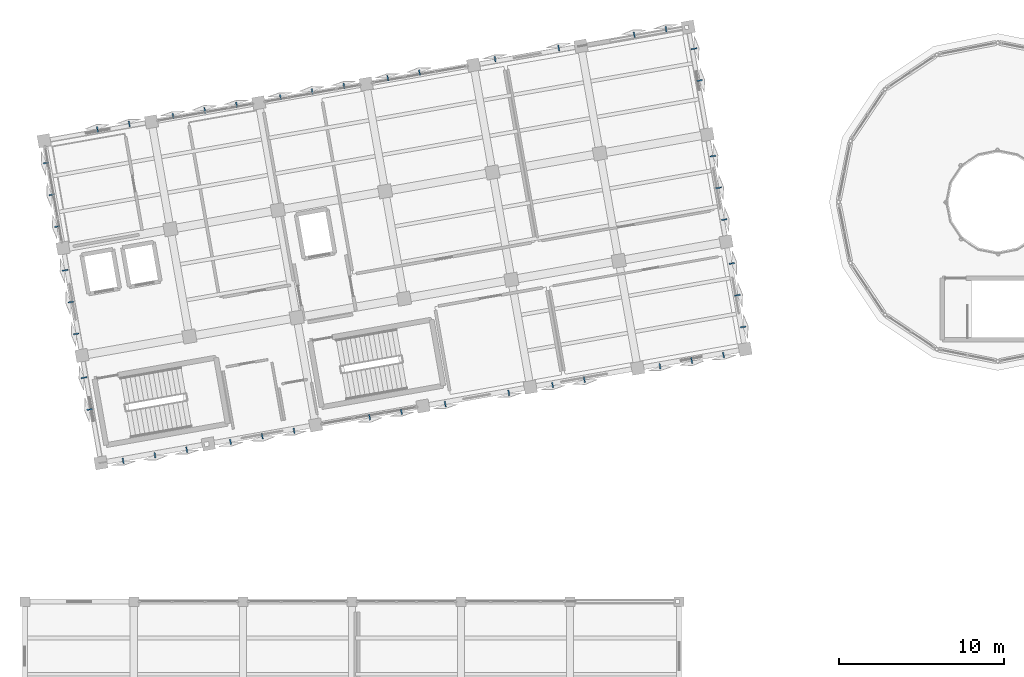
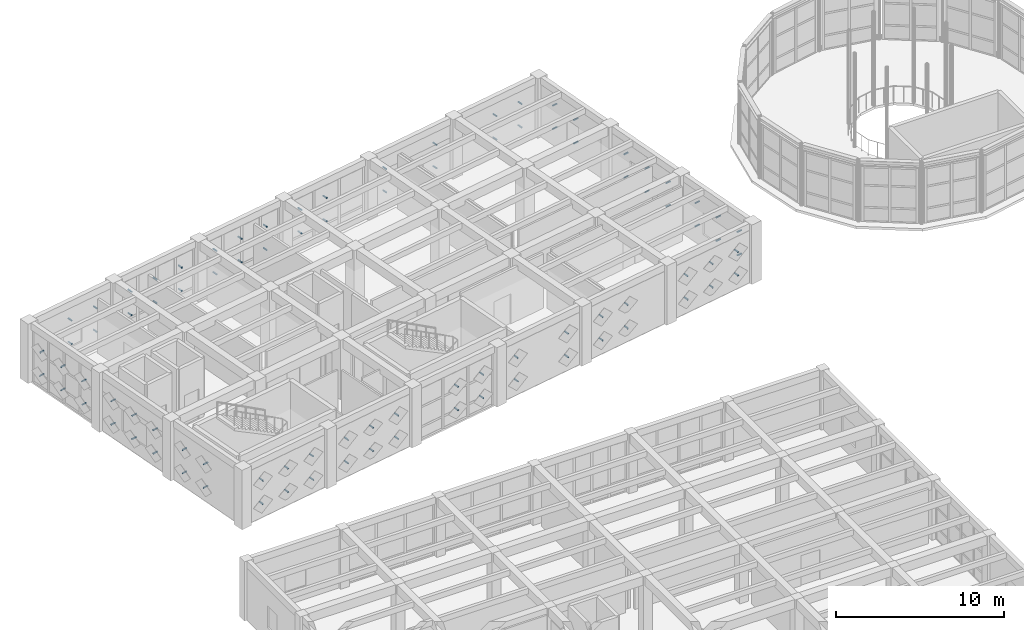
# One storey, part 73 of 80: 90 discrete accessories.
"""IFC4 building model written with IfcOpenShell, lengths in metres."""

from ifc_helpers import new_model, si_unit, direction, frame, origin, origin_2d, place, context, subcontext, project, spatial, hollow_rectangle, extrude, material, type_object, element, save


model = new_model("IFC4")

# Units and contexts
model_context = context("Model", 3, precision=1e-05, world=origin(), true_north=direction((0.0, 1.0)))
body_context = subcontext(model_context, "Body", "Model", "MODEL_VIEW")
ifc_project = project(units=[si_unit("LENGTHUNIT", "METRE"), si_unit("AREAUNIT", "SQUARE_METRE"), si_unit("VOLUMEUNIT", "CUBIC_METRE"), si_unit("PLANEANGLEUNIT", "RADIAN"), si_unit("MASSUNIT", "GRAM", prefix="KILO")], contexts=[model_context])

# Site, building, storey
site_placement = place(None, origin())
site = spatial("IfcSite", under=ifc_project, at=site_placement, CompositionType="ELEMENT")
building_placement = place(site_placement, origin())
building = spatial("IfcBuilding", under=site, at=building_placement, Name="Kharisveld Research Institute", CompositionType="ELEMENT")
storey_placement = place(building_placement, frame((0.0, 0.0, 5.10009765625)))
storey = spatial("IfcBuildingStorey", under=building, at=storey_placement, Name="L01", CompositionType="ELEMENT", Elevation=5.10009765625)

# Discrete accessories
ifc_material = material(Name="Steel S355JR", Category="steel")
discrete_accessory_type = type_object("IfcDiscreteAccessoryType", Name="BKT_ST_260", PredefinedType="BRACKET")
for number, where, z_axis, x_axis, name in (
    (1, (4.68603515625, 38.270263671875, 1.0498046875), (-0.984804615622, -0.173665969752, 0.0), (0.173665969752, -0.984804615622, 0.0), "BKT-SHD:V1:L01:W0:S1C0"),
    (2, (4.68603515625, 38.270263671875, 2.75), (-0.984804615622, -0.173665969752, 0.0), (0.173665969752, -0.984804615622, 0.0), "BKT-SHD:V1:L01:W0:S1C1"),
    (3, (4.346923828125, 40.19384765625, 1.0498046875), (-0.984804615622, -0.173665969752, 0.0), (0.173665969752, -0.984804615622, 0.0), "BKT-SHD:V1:L01:W0:S2C0"),
    (4, (4.346923828125, 40.19384765625, 2.75), (-0.984804615622, -0.173665969752, 0.0), (0.173665969752, -0.984804615622, 0.0), "BKT-SHD:V1:L01:W0:S2C1"),
    (5, (3.879150390625, 42.846435546875, 1.0498046875), (-0.984804615622, -0.173665969752, 0.0), (0.173665969752, -0.984804615622, 0.0), "BKT-SHD:V1:L01:W1:S0C0"),
    (6, (3.879150390625, 42.846435546875, 2.75), (-0.984804615622, -0.173665969752, 0.0), (0.173665969752, -0.984804615622, 0.0), "BKT-SHD:V1:L01:W1:S0C1"),
    (7, (3.5400390625, 44.77001953125, 1.0498046875), (-0.984804615622, -0.173665969752, 0.0), (0.173665969752, -0.984804615622, 0.0), "BKT-SHD:V1:L01:W1:S1C0"),
    (8, (3.5400390625, 44.77001953125, 2.75), (-0.984804615622, -0.173665969752, 0.0), (0.173665969752, -0.984804615622, 0.0), "BKT-SHD:V1:L01:W1:S1C1"),
):
    element("IfcDiscreteAccessory", number, at=place(storey_placement, frame(where, z_axis=z_axis, x_axis=x_axis)), inside=storey, type_object=discrete_accessory_type, material=ifc_material, Name=name, ObjectType="BRACKET", PredefinedType="BRACKET", context=body_context, shape_type="SweptSolid", body=[
        extrude(hollow_rectangle(XDim=0.080078125, YDim=0.080078125, WallThickness=0.0048828125, at=origin_2d()), origin(), (0.0, 0.0, 1.0), 0.35009765625),
    ])
for number, where, z_axis, x_axis, name in (
    (9, (3.20068359375, 46.693603515625, 1.0498046875), (-0.984783558818, -0.173785333909, 0.0), (0.173785333909, -0.984783558818, 0.0), "BKT-SHD:V1:L01:W1:S2C0"),
    (10, (3.20068359375, 46.693603515625, 2.75), (-0.984783558818, -0.173785333909, 0.0), (0.173785333909, -0.984783558818, 0.0), "BKT-SHD:V1:L01:W1:S2C1"),
):
    element("IfcDiscreteAccessory", number, at=place(storey_placement, frame(where, z_axis=z_axis, x_axis=x_axis)), inside=storey, type_object=discrete_accessory_type, material=ifc_material, Name=name, ObjectType="BRACKET", PredefinedType="BRACKET", context=body_context, shape_type="SweptSolid", body=[
        extrude(hollow_rectangle(XDim=0.080078125, YDim=0.080078125, WallThickness=0.0048828125, at=origin_2d()), origin(), (0.0, 0.0, 1.0), 0.349853515625),
    ])
for number, where, z_axis, x_axis, name in (
    (11, (2.733154296875, 49.34619140625, 1.0498046875), (-0.984804615622, -0.173665969752, 0.0), (0.173665969752, -0.984804615622, 0.0), "BKT-SHD:V1:L01:W2:S0C0"),
    (12, (2.733154296875, 49.34619140625, 2.75), (-0.984804615622, -0.173665969752, 0.0), (0.173665969752, -0.984804615622, 0.0), "BKT-SHD:V1:L01:W2:S0C1"),
):
    element("IfcDiscreteAccessory", number, at=place(storey_placement, frame(where, z_axis=z_axis, x_axis=x_axis)), inside=storey, type_object=discrete_accessory_type, material=ifc_material, Name=name, ObjectType="BRACKET", PredefinedType="BRACKET", context=body_context, shape_type="SweptSolid", body=[
        extrude(hollow_rectangle(XDim=0.080078125, YDim=0.080078125, WallThickness=0.0048828125, at=origin_2d()), origin(), (0.0, 0.0, 1.0), 0.35009765625),
    ])
for number, where, z_axis, x_axis, name in (
    (13, (2.393798828125, 51.269775390625, 1.0498046875), (-0.984783558818, -0.173785333909, 0.0), (0.173785333909, -0.984783558818, 0.0), "BKT-SHD:V1:L01:W2:S1C0"),
    (14, (2.393798828125, 51.269775390625, 2.75), (-0.984783558818, -0.173785333909, 0.0), (0.173785333909, -0.984783558818, 0.0), "BKT-SHD:V1:L01:W2:S1C1"),
):
    element("IfcDiscreteAccessory", number, at=place(storey_placement, frame(where, z_axis=z_axis, x_axis=x_axis)), inside=storey, type_object=discrete_accessory_type, material=ifc_material, Name=name, ObjectType="BRACKET", PredefinedType="BRACKET", context=body_context, shape_type="SweptSolid", body=[
        extrude(hollow_rectangle(XDim=0.080078125, YDim=0.080078125, WallThickness=0.0048828125, at=origin_2d()), origin(), (0.0, 0.0, 1.0), 0.349853515625),
    ])
for number, where, z_axis, x_axis, name in (
    (15, (2.0546875, 53.193359375, 1.0498046875), (-0.984804615622, -0.173665969752, 0.0), (0.173665969752, -0.984804615622, 0.0), "BKT-SHD:V1:L01:W2:S2C0"),
    (16, (2.0546875, 53.193359375, 2.75), (-0.984804615622, -0.173665969752, 0.0), (0.173665969752, -0.984804615622, 0.0), "BKT-SHD:V1:L01:W2:S2C1"),
    (17, (5.02197265625, 55.023193359375, 1.0498046875), (-0.173665969752, 0.984804615622, 0.0), (-0.984804615622, -0.173665969752, 0.0), "BKT-SHD:V1:L01:N0:S1C0"),
    (18, (5.02197265625, 55.023193359375, 2.75), (-0.173665969752, 0.984804615622, 0.0), (-0.984804615622, -0.173665969752, 0.0), "BKT-SHD:V1:L01:N0:S1C1"),
    (19, (6.94580078125, 55.3623046875, 1.0498046875), (-0.173665969752, 0.984804615622, 0.0), (-0.984804615622, -0.173665969752, 0.0), "BKT-SHD:V1:L01:N0:S2C0"),
    (20, (6.94580078125, 55.3623046875, 2.75), (-0.173665969752, 0.984804615622, 0.0), (-0.984804615622, -0.173665969752, 0.0), "BKT-SHD:V1:L01:N0:S2C1"),
    (21, (9.59814453125, 55.830078125, 1.0498046875), (-0.173665969752, 0.984804615622, 0.0), (-0.984804615622, -0.173665969752, 0.0), "BKT-SHD:V1:L01:N1:S0C0"),
    (22, (9.59814453125, 55.830078125, 2.75), (-0.173665969752, 0.984804615622, 0.0), (-0.984804615622, -0.173665969752, 0.0), "BKT-SHD:V1:L01:N1:S0C1"),
    (23, (11.521728515625, 56.169189453125, 1.0498046875), (-0.173665969752, 0.984804615622, 0.0), (-0.984804615622, -0.173665969752, 0.0), "BKT-SHD:V1:L01:N1:S1C0"),
    (24, (11.521728515625, 56.169189453125, 2.75), (-0.173665969752, 0.984804615622, 0.0), (-0.984804615622, -0.173665969752, 0.0), "BKT-SHD:V1:L01:N1:S1C1"),
    (25, (13.445556640625, 56.50830078125, 1.0498046875), (-0.173665969752, 0.984804615622, 0.0), (-0.984804615622, -0.173665969752, 0.0), "BKT-SHD:V1:L01:N1:S2C0"),
    (26, (13.445556640625, 56.50830078125, 2.75), (-0.173665969752, 0.984804615622, 0.0), (-0.984804615622, -0.173665969752, 0.0), "BKT-SHD:V1:L01:N1:S2C1"),
    (27, (16.097900390625, 56.97607421875, 1.0498046875), (-0.173665969752, 0.984804615622, 0.0), (-0.984804615622, -0.173665969752, 0.0), "BKT-SHD:V1:L01:N2:S0C0"),
    (28, (16.097900390625, 56.97607421875, 2.75), (-0.173665969752, 0.984804615622, 0.0), (-0.984804615622, -0.173665969752, 0.0), "BKT-SHD:V1:L01:N2:S0C1"),
    (29, (18.021484375, 57.315185546875, 1.0498046875), (-0.173665969752, 0.984804615622, 0.0), (-0.984804615622, -0.173665969752, 0.0), "BKT-SHD:V1:L01:N2:S1C0"),
    (30, (18.021484375, 57.315185546875, 2.75), (-0.173665969752, 0.984804615622, 0.0), (-0.984804615622, -0.173665969752, 0.0), "BKT-SHD:V1:L01:N2:S1C1"),
    (31, (19.945068359375, 57.654541015625, 1.0498046875), (-0.173665969752, 0.984804615622, 0.0), (-0.984804615622, -0.173665969752, 0.0), "BKT-SHD:V1:L01:N2:S2C0"),
    (32, (19.945068359375, 57.654541015625, 2.75), (-0.173665969752, 0.984804615622, 0.0), (-0.984804615622, -0.173665969752, 0.0), "BKT-SHD:V1:L01:N2:S2C1"),
    (33, (22.59765625, 58.1220703125, 1.0498046875), (-0.173665969752, 0.984804615622, 0.0), (-0.984804615622, -0.173665969752, 0.0), "BKT-SHD:V1:L01:N3:S0C0"),
    (34, (22.59765625, 58.1220703125, 2.75), (-0.173665969752, 0.984804615622, 0.0), (-0.984804615622, -0.173665969752, 0.0), "BKT-SHD:V1:L01:N3:S0C1"),
    (35, (24.521240234375, 58.46142578125, 1.0498046875), (-0.173665969752, 0.984804615622, 0.0), (-0.984804615622, -0.173665969752, 0.0), "BKT-SHD:V1:L01:N3:S1C0"),
    (36, (24.521240234375, 58.46142578125, 2.75), (-0.173665969752, 0.984804615622, 0.0), (-0.984804615622, -0.173665969752, 0.0), "BKT-SHD:V1:L01:N3:S1C1"),
    (37, (29.097412109375, 59.268310546875, 1.0498046875), (-0.173665969752, 0.984804615622, 0.0), (-0.984804615622, -0.173665969752, 0.0), "BKT-SHD:V1:L01:N4:S0C0"),
    (38, (29.097412109375, 59.268310546875, 2.75), (-0.173665969752, 0.984804615622, 0.0), (-0.984804615622, -0.173665969752, 0.0), "BKT-SHD:V1:L01:N4:S0C1"),
    (39, (32.944580078125, 59.946533203125, 1.0498046875), (-0.173665969752, 0.984804615622, 0.0), (-0.984804615622, -0.173665969752, 0.0), "BKT-SHD:V1:L01:N4:S2C0"),
    (40, (32.944580078125, 59.946533203125, 2.75), (-0.173665969752, 0.984804615622, 0.0), (-0.984804615622, -0.173665969752, 0.0), "BKT-SHD:V1:L01:N4:S2C1"),
    (41, (37.520751953125, 60.75341796875, 1.0498046875), (-0.173665969752, 0.984804615622, 0.0), (-0.984804615622, -0.173665969752, 0.0), "BKT-SHD:V1:L01:N5:S1C0"),
    (42, (37.520751953125, 60.75341796875, 2.75), (-0.173665969752, 0.984804615622, 0.0), (-0.984804615622, -0.173665969752, 0.0), "BKT-SHD:V1:L01:N5:S1C1"),
    (43, (39.4443359375, 61.0927734375, 1.0498046875), (-0.173665969752, 0.984804615622, 0.0), (-0.984804615622, -0.173665969752, 0.0), "BKT-SHD:V1:L01:N5:S2C0"),
    (44, (39.4443359375, 61.0927734375, 2.75), (-0.173665969752, 0.984804615622, 0.0), (-0.984804615622, -0.173665969752, 0.0), "BKT-SHD:V1:L01:N5:S2C1"),
    (45, (40.934814453125, 60.049072265625, 1.0498046875), (0.984804615622, 0.173665969752, 0.0), (-0.173665969752, 0.984804615622, 0.0), "BKT-SHD:V1:L01:E3:S0C0"),
    (46, (40.934814453125, 60.049072265625, 2.75), (0.984804615622, 0.173665969752, 0.0), (-0.173665969752, 0.984804615622, 0.0), "BKT-SHD:V1:L01:E3:S0C1"),
    (47, (41.274169921875, 58.12548828125, 1.0498046875), (0.984923681133, 0.172989428414, 0.0), (-0.172989428414, 0.984923681133, 0.0), "BKT-SHD:V1:L01:E3:S1C0"),
    (48, (41.274169921875, 58.12548828125, 2.75), (0.984923681133, 0.172989428414, 0.0), (-0.172989428414, 0.984923681133, 0.0), "BKT-SHD:V1:L01:E3:S1C1"),
    (49, (42.0810546875, 53.54931640625, 1.0498046875), (0.984804615622, 0.173665969752, 0.0), (-0.173665969752, 0.984804615622, 0.0), "BKT-SHD:V1:L01:E2:S0C0"),
    (50, (42.0810546875, 53.54931640625, 2.75), (0.984804615622, 0.173665969752, 0.0), (-0.173665969752, 0.984804615622, 0.0), "BKT-SHD:V1:L01:E2:S0C1"),
    (51, (42.420166015625, 51.625732421875, 1.0498046875), (0.984804615622, 0.173665969752, 0.0), (-0.173665969752, 0.984804615622, 0.0), "BKT-SHD:V1:L01:E2:S1C0"),
    (52, (42.420166015625, 51.625732421875, 2.75), (0.984804615622, 0.173665969752, 0.0), (-0.173665969752, 0.984804615622, 0.0), "BKT-SHD:V1:L01:E2:S1C1"),
    (53, (42.75927734375, 49.701904296875, 1.0498046875), (0.984804615622, 0.173665969752, 0.0), (-0.173665969752, 0.984804615622, 0.0), "BKT-SHD:V1:L01:E2:S2C0"),
    (54, (42.75927734375, 49.701904296875, 2.75), (0.984804615622, 0.173665969752, 0.0), (-0.173665969752, 0.984804615622, 0.0), "BKT-SHD:V1:L01:E2:S2C1"),
    (55, (43.22705078125, 47.049560546875, 1.0498046875), (0.984804615622, 0.173665969752, 0.0), (-0.173665969752, 0.984804615622, 0.0), "BKT-SHD:V1:L01:E1:S0C0"),
    (56, (43.22705078125, 47.049560546875, 2.75), (0.984804615622, 0.173665969752, 0.0), (-0.173665969752, 0.984804615622, 0.0), "BKT-SHD:V1:L01:E1:S0C1"),
    (57, (43.566162109375, 45.1259765625, 1.0498046875), (0.984804615622, 0.173665969752, 0.0), (-0.173665969752, 0.984804615622, 0.0), "BKT-SHD:V1:L01:E1:S1C0"),
    (58, (43.566162109375, 45.1259765625, 2.75), (0.984804615622, 0.173665969752, 0.0), (-0.173665969752, 0.984804615622, 0.0), "BKT-SHD:V1:L01:E1:S1C1"),
    (59, (43.905517578125, 43.2021484375, 1.0498046875), (0.984804615622, 0.173665969752, 0.0), (-0.173665969752, 0.984804615622, 0.0), "BKT-SHD:V1:L01:E1:S2C0"),
    (60, (43.905517578125, 43.2021484375, 2.75), (0.984804615622, 0.173665969752, 0.0), (-0.173665969752, 0.984804615622, 0.0), "BKT-SHD:V1:L01:E1:S2C1"),
    (61, (42.86181640625, 41.711669921875, 1.0498046875), (0.173665969752, -0.984804615622, 0.0), (0.984804615622, 0.173665969752, 0.0), "BKT-SHD:V1:L01:S6:S0C0"),
    (62, (42.86181640625, 41.711669921875, 2.75), (0.173665969752, -0.984804615622, 0.0), (0.984804615622, 0.173665969752, 0.0), "BKT-SHD:V1:L01:S6:S0C1"),
    (63, (40.93798828125, 41.37255859375, 1.0498046875), (0.173665969752, -0.984804615622, 0.0), (0.984804615622, 0.173665969752, 0.0), "BKT-SHD:V1:L01:S6:S1C0"),
    (64, (40.93798828125, 41.37255859375, 2.75), (0.173665969752, -0.984804615622, 0.0), (0.984804615622, 0.173665969752, 0.0), "BKT-SHD:V1:L01:S6:S1C1"),
):
    element("IfcDiscreteAccessory", number, at=place(storey_placement, frame(where, z_axis=z_axis, x_axis=x_axis)), inside=storey, type_object=discrete_accessory_type, material=ifc_material, Name=name, ObjectType="BRACKET", PredefinedType="BRACKET", context=body_context, shape_type="SweptSolid", body=[
        extrude(hollow_rectangle(XDim=0.080078125, YDim=0.080078125, WallThickness=0.0048828125, at=origin_2d()), origin(), (0.0, 0.0, 1.0), 0.35009765625),
    ])
for number, where, z_axis, x_axis, name in (
    (65, (39.014404296875, 41.033203125, 1.0498046875), (0.173785333909, -0.984783558818, 0.0), (0.984783558818, 0.173785333909, 0.0), "BKT-SHD:V1:L01:S6:S2C0"),
    (66, (39.014404296875, 41.033203125, 2.75), (0.173785333909, -0.984783558818, 0.0), (0.984783558818, 0.173785333909, 0.0), "BKT-SHD:V1:L01:S6:S2C1"),
    (67, (34.4384765625, 40.226318359375, 1.0498046875), (0.173785333909, -0.984783558818, 0.0), (0.984783558818, 0.173785333909, 0.0), "BKT-SHD:V1:L01:S5:S1C0"),
    (68, (34.4384765625, 40.226318359375, 2.75), (0.173785333909, -0.984783558818, 0.0), (0.984783558818, 0.173785333909, 0.0), "BKT-SHD:V1:L01:S5:S1C1"),
):
    element("IfcDiscreteAccessory", number, at=place(storey_placement, frame(where, z_axis=z_axis, x_axis=x_axis)), inside=storey, type_object=discrete_accessory_type, material=ifc_material, Name=name, ObjectType="BRACKET", PredefinedType="BRACKET", context=body_context, shape_type="SweptSolid", body=[
        extrude(hollow_rectangle(XDim=0.080078125, YDim=0.080078125, WallThickness=0.0048828125, at=origin_2d()), origin(), (0.0, 0.0, 1.0), 0.349853515625),
    ])
for number, where, z_axis, x_axis, name in (
    (69, (32.5146484375, 39.88720703125, 1.0498046875), (0.173665969752, -0.984804615622, 0.0), (0.984804615622, 0.173665969752, 0.0), "BKT-SHD:V1:L01:S5:S2C0"),
    (70, (32.5146484375, 39.88720703125, 2.75), (0.173665969752, -0.984804615622, 0.0), (0.984804615622, 0.173665969752, 0.0), "BKT-SHD:V1:L01:S5:S2C1"),
):
    element("IfcDiscreteAccessory", number, at=place(storey_placement, frame(where, z_axis=z_axis, x_axis=x_axis)), inside=storey, type_object=discrete_accessory_type, material=ifc_material, Name=name, ObjectType="BRACKET", PredefinedType="BRACKET", context=body_context, shape_type="SweptSolid", body=[
        extrude(hollow_rectangle(XDim=0.080078125, YDim=0.080078125, WallThickness=0.0048828125, at=origin_2d()), origin(), (0.0, 0.0, 1.0), 0.35009765625),
    ])
for number, where, z_axis, x_axis, name in (
    (71, (29.8623046875, 39.41943359375, 1.0498046875), (0.173785333909, -0.984783558818, 0.0), (0.984783558818, 0.173785333909, 0.0), "BKT-SHD:V1:L01:S4:S0C0"),
    (72, (29.8623046875, 39.41943359375, 2.75), (0.173785333909, -0.984783558818, 0.0), (0.984783558818, 0.173785333909, 0.0), "BKT-SHD:V1:L01:S4:S0C1"),
):
    element("IfcDiscreteAccessory", number, at=place(storey_placement, frame(where, z_axis=z_axis, x_axis=x_axis)), inside=storey, type_object=discrete_accessory_type, material=ifc_material, Name=name, ObjectType="BRACKET", PredefinedType="BRACKET", context=body_context, shape_type="SweptSolid", body=[
        extrude(hollow_rectangle(XDim=0.080078125, YDim=0.080078125, WallThickness=0.0048828125, at=origin_2d()), origin(), (0.0, 0.0, 1.0), 0.349853515625),
    ])
for number, where, z_axis, x_axis, name in (
    (73, (26.014892578125, 38.7412109375, 1.0498046875), (0.173665969752, -0.984804615622, 0.0), (0.984804615622, 0.173665969752, 0.0), "BKT-SHD:V1:L01:S4:S2C0"),
    (74, (26.014892578125, 38.7412109375, 2.75), (0.173665969752, -0.984804615622, 0.0), (0.984804615622, 0.173665969752, 0.0), "BKT-SHD:V1:L01:S4:S2C1"),
    (75, (23.362548828125, 38.2734375, 1.0498046875), (0.173665969752, -0.984804615622, 0.0), (0.984804615622, 0.173665969752, 0.0), "BKT-SHD:V1:L01:S3:S0C0"),
    (76, (23.362548828125, 38.2734375, 2.75), (0.173665969752, -0.984804615622, 0.0), (0.984804615622, 0.173665969752, 0.0), "BKT-SHD:V1:L01:S3:S0C1"),
    (77, (21.43896484375, 37.934326171875, 1.0498046875), (0.173665969752, -0.984804615622, 0.0), (0.984804615622, 0.173665969752, 0.0), "BKT-SHD:V1:L01:S3:S1C0"),
    (78, (21.43896484375, 37.934326171875, 2.75), (0.173665969752, -0.984804615622, 0.0), (0.984804615622, 0.173665969752, 0.0), "BKT-SHD:V1:L01:S3:S1C1"),
    (79, (16.86279296875, 37.12744140625, 1.0498046875), (0.173665969752, -0.984804615622, 0.0), (0.984804615622, 0.173665969752, 0.0), "BKT-SHD:V1:L01:S2:S0C0"),
    (80, (16.86279296875, 37.12744140625, 2.75), (0.173665969752, -0.984804615622, 0.0), (0.984804615622, 0.173665969752, 0.0), "BKT-SHD:V1:L01:S2:S0C1"),
):
    element("IfcDiscreteAccessory", number, at=place(storey_placement, frame(where, z_axis=z_axis, x_axis=x_axis)), inside=storey, type_object=discrete_accessory_type, material=ifc_material, Name=name, ObjectType="BRACKET", PredefinedType="BRACKET", context=body_context, shape_type="SweptSolid", body=[
        extrude(hollow_rectangle(XDim=0.080078125, YDim=0.080078125, WallThickness=0.0048828125, at=origin_2d()), origin(), (0.0, 0.0, 1.0), 0.35009765625),
    ])
for number, where, z_axis, x_axis, name in (
    (81, (14.939208984375, 36.7880859375, 1.0498046875), (0.173785333909, -0.984783558818, 0.0), (0.984783558818, 0.173785333909, 0.0), "BKT-SHD:V1:L01:S2:S1C0"),
    (82, (14.939208984375, 36.7880859375, 2.75), (0.173785333909, -0.984783558818, 0.0), (0.984783558818, 0.173785333909, 0.0), "BKT-SHD:V1:L01:S2:S1C1"),
):
    element("IfcDiscreteAccessory", number, at=place(storey_placement, frame(where, z_axis=z_axis, x_axis=x_axis)), inside=storey, type_object=discrete_accessory_type, material=ifc_material, Name=name, ObjectType="BRACKET", PredefinedType="BRACKET", context=body_context, shape_type="SweptSolid", body=[
        extrude(hollow_rectangle(XDim=0.080078125, YDim=0.080078125, WallThickness=0.0048828125, at=origin_2d()), origin(), (0.0, 0.0, 1.0), 0.349853515625),
    ])
for number, where, z_axis, x_axis, name in (
    (83, (13.015625, 36.448974609375, 1.0498046875), (0.173665969752, -0.984804615622, 0.0), (0.984804615622, 0.173665969752, 0.0), "BKT-SHD:V1:L01:S2:S2C0"),
    (84, (13.015625, 36.448974609375, 2.75), (0.173665969752, -0.984804615622, 0.0), (0.984804615622, 0.173665969752, 0.0), "BKT-SHD:V1:L01:S2:S2C1"),
):
    element("IfcDiscreteAccessory", number, at=place(storey_placement, frame(where, z_axis=z_axis, x_axis=x_axis)), inside=storey, type_object=discrete_accessory_type, material=ifc_material, Name=name, ObjectType="BRACKET", PredefinedType="BRACKET", context=body_context, shape_type="SweptSolid", body=[
        extrude(hollow_rectangle(XDim=0.080078125, YDim=0.080078125, WallThickness=0.0048828125, at=origin_2d()), origin(), (0.0, 0.0, 1.0), 0.35009765625),
    ])
for number, where, z_axis, x_axis, name in (
    (85, (10.363037109375, 35.981201171875, 1.0498046875), (0.173785333909, -0.984783558818, 0.0), (0.984783558818, 0.173785333909, 0.0), "BKT-SHD:V1:L01:S1:S0C0"),
    (86, (10.363037109375, 35.981201171875, 2.75), (0.173785333909, -0.984783558818, 0.0), (0.984783558818, 0.173785333909, 0.0), "BKT-SHD:V1:L01:S1:S0C1"),
):
    element("IfcDiscreteAccessory", number, at=place(storey_placement, frame(where, z_axis=z_axis, x_axis=x_axis)), inside=storey, type_object=discrete_accessory_type, material=ifc_material, Name=name, ObjectType="BRACKET", PredefinedType="BRACKET", context=body_context, shape_type="SweptSolid", body=[
        extrude(hollow_rectangle(XDim=0.080078125, YDim=0.080078125, WallThickness=0.0048828125, at=origin_2d()), origin(), (0.0, 0.0, 1.0), 0.349853515625),
    ])
for number, where, z_axis, x_axis, name in (
    (87, (8.439453125, 35.64208984375, 1.0498046875), (0.173665969752, -0.984804615622, 0.0), (0.984804615622, 0.173665969752, 0.0), "BKT-SHD:V1:L01:S1:S1C0"),
    (88, (8.439453125, 35.64208984375, 2.75), (0.173665969752, -0.984804615622, 0.0), (0.984804615622, 0.173665969752, 0.0), "BKT-SHD:V1:L01:S1:S1C1"),
    (89, (6.515869140625, 35.302978515625, 1.0498046875), (0.173665969752, -0.984804615622, 0.0), (0.984804615622, 0.173665969752, 0.0), "BKT-SHD:V1:L01:S1:S2C0"),
    (90, (6.515869140625, 35.302978515625, 2.75), (0.173665969752, -0.984804615622, 0.0), (0.984804615622, 0.173665969752, 0.0), "BKT-SHD:V1:L01:S1:S2C1"),
):
    element("IfcDiscreteAccessory", number, at=place(storey_placement, frame(where, z_axis=z_axis, x_axis=x_axis)), inside=storey, type_object=discrete_accessory_type, material=ifc_material, Name=name, ObjectType="BRACKET", PredefinedType="BRACKET", context=body_context, shape_type="SweptSolid", body=[
        extrude(hollow_rectangle(XDim=0.080078125, YDim=0.080078125, WallThickness=0.0048828125, at=origin_2d()), origin(), (0.0, 0.0, 1.0), 0.35009765625),
    ])

save(model, "model.ifc")
